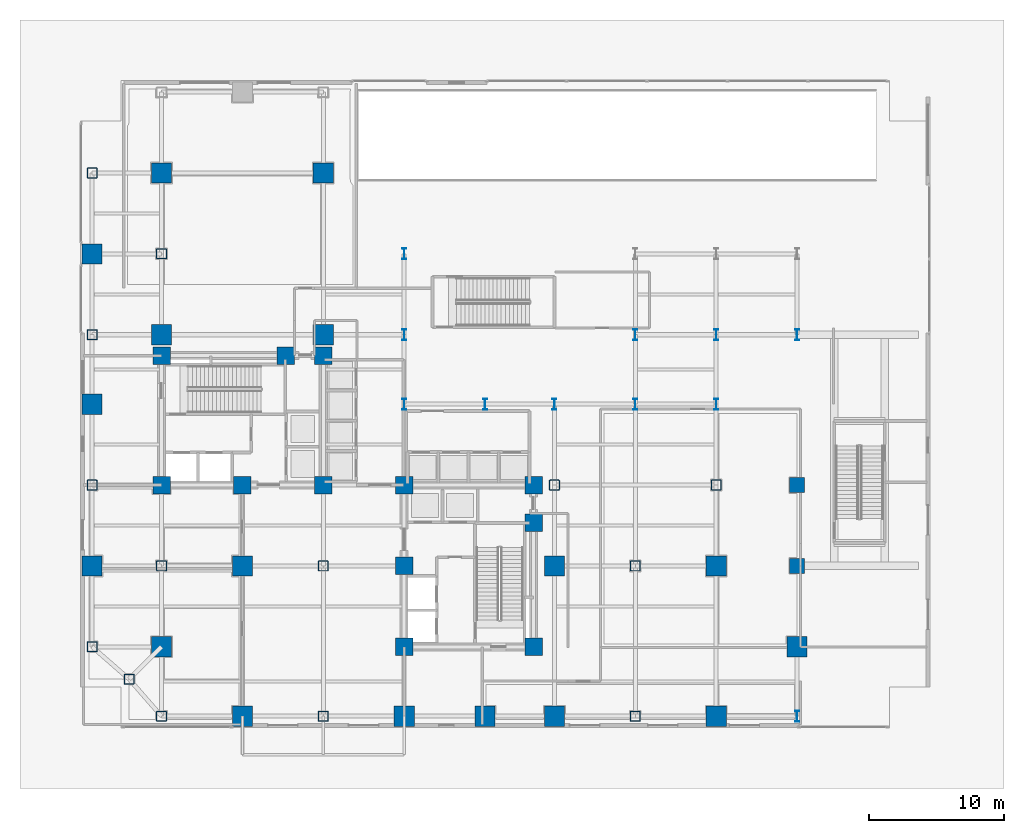
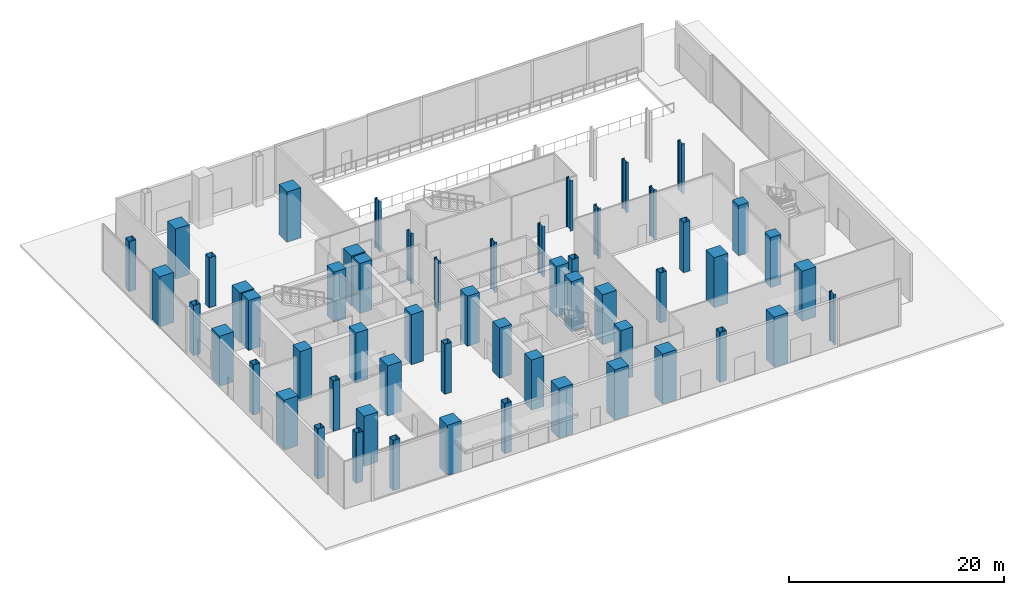
# One storey, part 1 of 27: 56 columns.
"""IFC4 building model written with IfcOpenShell, lengths in metres."""

from ifc_helpers import new_model, si_unit, direction, frame, origin, origin_2d, place, context, subcontext, project, spatial, rectangle, hollow_rectangle, i_section, extrude, material, material_profile, profile_set, type_object, element, save


model = new_model("IFC4")

# Units and contexts
model_context = context("Model", 3, precision=1e-05, world=origin(), true_north=direction((0.0, 1.0)))
body_context = subcontext(model_context, "Body", "Model", "MODEL_VIEW")
ifc_project = project(units=[si_unit("LENGTHUNIT", "METRE"), si_unit("AREAUNIT", "SQUARE_METRE"), si_unit("VOLUMEUNIT", "CUBIC_METRE"), si_unit("PLANEANGLEUNIT", "RADIAN"), si_unit("MASSUNIT", "GRAM", prefix="KILO"), si_unit("THERMODYNAMICTEMPERATUREUNIT", "KELVIN"), si_unit("POWERUNIT", "WATT")], contexts=[model_context])

# Site, building, storey
site_placement = place(None, origin())
site = spatial("IfcSite", under=ifc_project, at=site_placement, CompositionType="ELEMENT")
building_placement = place(site_placement, origin())
building = spatial("IfcBuilding", under=site, at=building_placement, Name="Svarakhadi Broadcast Tower", CompositionType="ELEMENT")
storey_placement = place(building_placement, origin())
storey = spatial("IfcBuildingStorey", under=building, at=storey_placement, Name="L00", CompositionType="ELEMENT", Elevation=0.0)

# Columns
ifc_material_1 = material(Name="Steel S460ML (IS 2062 E450BR)", Category="steel")
ifc_material_profile_1 = material_profile(ifc_material_1, hollow_rectangle(XDim=0.75, YDim=0.75, WallThickness=0.034912109375, InnerFilletRadius=0.034912109375, OuterFilletRadius=0.050048828125, at=origin_2d()), Name="BOX 750x750x35")
ifc_profile_set_1 = profile_set([ifc_material_profile_1], Name="Steel S460ML (IS 2062 E450BR)")
column_type_1 = type_object("IfcColumnType", Name="Col_BOX750", PredefinedType="COLUMN", material=ifc_profile_set_1)
for number, where, z_axis, x_axis, name in (
    (1, (3.60009765625, 3.60009765625, 0.0), (0.0, 0.0, 1.0), (1.0, 0.0, 0.0), "L00 Column G01"),
    (2, (0.85009765625, 6.0, 0.0), (0.0, 0.0, 1.0), (1.0, 0.0, 0.0), "L00 Column G03"),
    (3, (0.85009765625, 18.0, 0.0), (0.0, 0.0, 1.0), (1.0, 0.0, 0.0), "L00 Column G05"),
    (4, (0.85009765625, 29.14990234375, 0.0), (0.0, 0.0, 1.0), (1.0, 0.0, 0.0), "L00 Column G07"),
    (5, (0.85009765625, 41.14990234375, 0.0), (0.0, 0.0, 1.0), (1.0, 0.0, 0.0), "L00 Column G09"),
    (6, (6.0, 0.85009765625, 0.0), (0.0, 0.0, 1.0), (1.0, 0.0, 0.0), "L00 Column G11"),
    (7, (6.0, 12.0, 0.0), (0.0, 0.0, 1.0), (1.0, 0.0, 0.0), "L00 Column G13"),
    (8, (6.0, 35.14990234375, 0.0), (0.0, 0.0, 1.0), (1.0, 0.0, 0.0), "L00 Column G15"),
    (9, (18.0, 0.85009765625, 0.0), (0.0, 0.0, 1.0), (1.0, 0.0, 0.0), "L00 Column G25"),
    (10, (18.0, 12.0, 0.0), (0.0, 0.0, 1.0), (1.0, 0.0, 0.0), "L00 Column G27"),
    (11, (35.14990234375, 18.0, 0.0), (0.0, 0.0, 1.0), (1.0, 0.0, 0.0), "L00 Column G41"),
    (12, (41.14990234375, 0.85009765625, 0.0), (0.0, 0.0, 1.0), (1.0, 0.0, 0.0), "L00 Column G43"),
    (13, (41.14990234375, 12.0, 0.0), (0.0, 0.0, 1.0), (1.0, 0.0, 0.0), "L00 Column G45"),
    (14, (47.14990234375, 18.0, 0.0), (0.0, 0.0, 1.0), (1.0, 0.0, 0.0), "L00 Column G53"),
):
    element("IfcColumn", number, at=place(storey_placement, frame(where, z_axis=z_axis, x_axis=x_axis)), inside=storey, type_object=column_type_1, Name=name, PredefinedType="COLUMN", context=body_context, shape_type="SweptSolid", body=[
        extrude(hollow_rectangle(XDim=0.75, YDim=0.75, WallThickness=0.034912109375, InnerFilletRadius=0.034912109375, OuterFilletRadius=0.050048828125, at=origin_2d()), origin(), (0.0, 0.0, 1.0), 5.699951171875),
    ])
ifc_material_2 = material(Name="Concrete C50/60 (IS 456 M60)", Category="concrete")
ifc_material_profile_2 = material_profile(ifc_material_2, rectangle(XDim=1.10009765625, YDim=1.10009765625, at=origin_2d()), Name="RC 1100x1100")
ifc_profile_set_2 = profile_set([ifc_material_profile_2], Name="Concrete C50/60 (IS 456 M60)")
column_type_2 = type_object("IfcColumnType", Name="Col_RC1100", PredefinedType="COLUMN", material=ifc_profile_set_2)
for number, where, z_axis, x_axis, name in (
    (15, (53.14990234375, 12.0, 0.0), (0.0, 0.0, 1.0), (1.0, 0.0, 0.0), "L00 Zone-1 East Stack Column ZT02"),
    (16, (53.14990234375, 18.0, 0.0), (0.0, 0.0, 1.0), (1.0, 0.0, 0.0), "L00 Zone-1 East Stack Column ZT03"),
):
    element("IfcColumn", number, at=place(storey_placement, frame(where, z_axis=z_axis, x_axis=x_axis)), inside=storey, type_object=column_type_2, Name=name, PredefinedType="COLUMN", context=body_context, shape_type="SweptSolid", body=[
        extrude(rectangle(XDim=1.10009765625, YDim=1.10009765625, at=origin_2d()), origin(), (0.0, 0.0, 1.0), 5.699951171875),
    ])
ifc_material_3 = material(Name="Concrete C60/75 (IS 456 M70)", Category="concrete")
ifc_material_profile_3 = material_profile(ifc_material_3, rectangle(XDim=1.300048828125, YDim=1.300048828125, at=origin_2d()), Name="RC 1300x1300")
ifc_profile_set_3 = profile_set([ifc_material_profile_3], Name="Concrete C60/75 (IS 456 M70)")
column_type_3 = type_object("IfcColumnType", Name="Col_RC1300", PredefinedType="COLUMN", material=ifc_profile_set_3)
for number, where, z_axis, x_axis, name in (
    (17, (6.0, 18.0, 0.0), (0.0, 0.0, 1.0), (1.0, 0.0, 0.0), "L00 Column CW1"),
    (18, (12.0, 18.0, 0.0), (0.0, 0.0, 1.0), (1.0, 0.0, 0.0), "L00 Column CW2"),
    (19, (18.0, 18.0, 0.0), (0.0, 0.0, 1.0), (1.0, 0.0, 0.0), "L00 Column CW3"),
    (20, (6.0, 27.60009765625, 0.0), (0.0, 0.0, 1.0), (1.0, 0.0, 0.0), "L00 Column CW4"),
    (21, (15.199951171875, 27.60009765625, 0.0), (0.0, 0.0, 1.0), (1.0, 0.0, 0.0), "L00 Column CW5"),
    (22, (18.0, 27.60009765625, 0.0), (0.0, 0.0, 1.0), (1.0, 0.0, 0.0), "L00 Column CW6"),
    (23, (24.0, 6.0, 0.0), (0.0, 0.0, 1.0), (1.0, 0.0, 0.0), "L00 Column CE1"),
    (24, (24.0, 12.0, 0.0), (0.0, 0.0, 1.0), (1.0, 0.0, 0.0), "L00 Column CE2"),
    (25, (24.0, 18.0, 0.0), (0.0, 0.0, 1.0), (1.0, 0.0, 0.0), "L00 Column CE3"),
    (26, (33.60009765625, 6.0, 0.0), (0.0, 0.0, 1.0), (1.0, 0.0, 0.0), "L00 Column CE4"),
    (27, (33.60009765625, 15.199951171875, 0.0), (0.0, 0.0, 1.0), (1.0, 0.0, 0.0), "L00 Column CE5"),
    (28, (33.60009765625, 18.0, 0.0), (0.0, 0.0, 1.0), (1.0, 0.0, 0.0), "L00 Column CE6"),
):
    element("IfcColumn", number, at=place(storey_placement, frame(where, z_axis=z_axis, x_axis=x_axis)), inside=storey, type_object=column_type_3, Name=name, PredefinedType="COLUMN", context=body_context, shape_type="SweptSolid", body=[
        extrude(rectangle(XDim=1.300048828125, YDim=1.300048828125, at=origin_2d()), origin(), (0.0, 0.0, 1.0), 5.699951171875),
    ])
ifc_material_profile_4 = material_profile(ifc_material_3, rectangle(XDim=1.5, YDim=1.5, at=origin_2d()), Name="RC 1500x1500")
ifc_profile_set_4 = profile_set([ifc_material_profile_4], Name="Concrete C60/75 (IS 456 M70)")
column_type_4 = type_object("IfcColumnType", Name="Col_RC1500", PredefinedType="COLUMN", material=ifc_profile_set_4)
for number, where, z_axis, x_axis, name in (
    (29, (0.85009765625, 12.0, 0.0), (0.0, 0.0, 1.0), (1.0, 0.0, 0.0), "L00 Column G04"),
    (30, (0.85009765625, 24.0, 0.0), (0.0, 0.0, 1.0), (1.0, 0.0, 0.0), "L00 Column G06"),
    (31, (0.85009765625, 35.14990234375, 0.0), (0.0, 0.0, 1.0), (1.0, 0.0, 0.0), "L00 Column G08"),
    (32, (6.0, 6.0, 0.0), (0.0, 0.0, 1.0), (1.0, 0.0, 0.0), "L00 Column G12"),
    (33, (6.0, 29.14990234375, 0.0), (0.0, 0.0, 1.0), (1.0, 0.0, 0.0), "L00 Column G14"),
    (34, (6.0, 41.14990234375, 0.0), (0.0, 0.0, 1.0), (1.0, 0.0, 0.0), "L00 Column G16"),
    (35, (12.0, 0.85009765625, 0.0), (0.0, 0.0, 1.0), (1.0, 0.0, 0.0), "L00 Column G18"),
    (36, (12.0, 12.0, 0.0), (0.0, 0.0, 1.0), (1.0, 0.0, 0.0), "L00 Column G20"),
    (37, (18.0, 29.14990234375, 0.0), (0.0, 0.0, 1.0), (1.0, 0.0, 0.0), "L00 Column G28"),
    (38, (18.0, 41.14990234375, 0.0), (0.0, 0.0, 1.0), (1.0, 0.0, 0.0), "L00 Column G30"),
    (39, (24.0, 0.85009765625, 0.0), (0.0, 0.0, 1.0), (1.0, 0.0, 0.0), "L00 Column G32"),
    (40, (30.0, 0.85009765625, 0.0), (0.0, 0.0, 1.0), (1.0, 0.0, 0.0), "L00 Column G36"),
    (41, (35.14990234375, 0.85009765625, 0.0), (0.0, 0.0, 1.0), (1.0, 0.0, 0.0), "L00 Column G38"),
    (42, (35.14990234375, 12.0, 0.0), (0.0, 0.0, 1.0), (1.0, 0.0, 0.0), "L00 Column G40"),
    (43, (47.14990234375, 0.85009765625, 0.0), (0.0, 0.0, 1.0), (1.0, 0.0, 0.0), "L00 Column G50"),
    (44, (47.14990234375, 12.0, 0.0), (0.0, 0.0, 1.0), (1.0, 0.0, 0.0), "L00 Column G52"),
    (45, (53.14990234375, 6.0, 0.0), (0.0, 0.0, 1.0), (1.0, 0.0, 0.0), "L00 Column G58"),
):
    element("IfcColumn", number, at=place(storey_placement, frame(where, z_axis=z_axis, x_axis=x_axis)), inside=storey, type_object=column_type_4, Name=name, PredefinedType="COLUMN", context=body_context, shape_type="SweptSolid", body=[
        extrude(rectangle(XDim=1.5, YDim=1.5, at=origin_2d()), origin(), (0.0, 0.0, 1.0), 5.699951171875),
    ])
ifc_material_profile_5 = material_profile(ifc_material_1, i_section(OverallWidth=0.300048828125, OverallDepth=0.800048828125, WebThickness=0.017578125, FlangeThickness=0.032958984375, FilletRadius=0.030029296875, at=origin_2d()), Name="WPB 800x300x262")
ifc_profile_set_5 = profile_set([ifc_material_profile_5], Name="Steel S460ML (IS 2062 E450BR)")
column_type_5 = type_object("IfcColumnType", Name="Col_WPB800", PredefinedType="COLUMN", material=ifc_profile_set_5)
for number, where, z_axis, x_axis, name in (
    (46, (24.0, 24.0, 0.0), (0.0, 0.0, 1.0), (1.0, 0.0, 0.0), "L00 Column G33"),
    (47, (24.0, 29.14990234375, 0.0), (0.0, 0.0, 1.0), (1.0, 0.0, 0.0), "L00 Column G34"),
    (48, (24.0, 35.14990234375, 0.0), (0.0, 0.0, 1.0), (1.0, 0.0, 0.0), "L00 Column G35"),
    (49, (30.0, 24.0, 0.0), (0.0, 0.0, 1.0), (1.0, 0.0, 0.0), "L00 Column G37"),
    (50, (35.14990234375, 24.0, 0.0), (0.0, 0.0, 1.0), (1.0, 0.0, 0.0), "L00 Column G42"),
    (51, (41.14990234375, 24.0, 0.0), (0.0, 0.0, 1.0), (1.0, 0.0, 0.0), "L00 Column G47"),
    (52, (41.14990234375, 29.14990234375, 0.0), (0.0, 0.0, 1.0), (1.0, 0.0, 0.0), "L00 Column G48"),
    (53, (47.14990234375, 24.0, 0.0), (0.0, 0.0, 1.0), (1.0, 0.0, 0.0), "L00 Column G54"),
    (54, (47.14990234375, 29.14990234375, 0.0), (0.0, 0.0, 1.0), (1.0, 0.0, 0.0), "L00 Column G55"),
    (55, (53.14990234375, 0.85009765625, 0.0), (0.0, 0.0, 1.0), (1.0, 0.0, 0.0), "L00 Column G57"),
    (56, (53.14990234375, 29.14990234375, 0.0), (0.0, 0.0, 1.0), (1.0, 0.0, 0.0), "L00 Column G59"),
):
    element("IfcColumn", number, at=place(storey_placement, frame(where, z_axis=z_axis, x_axis=x_axis)), inside=storey, type_object=column_type_5, Name=name, PredefinedType="COLUMN", context=body_context, shape_type="SweptSolid", body=[
        extrude(i_section(OverallWidth=0.300048828125, OverallDepth=0.800048828125, WebThickness=0.017578125, FlangeThickness=0.032958984375, FilletRadius=0.030029296875, at=origin_2d()), origin(), (0.0, 0.0, 1.0), 5.699951171875),
    ])

save(model, "model.ifc")
